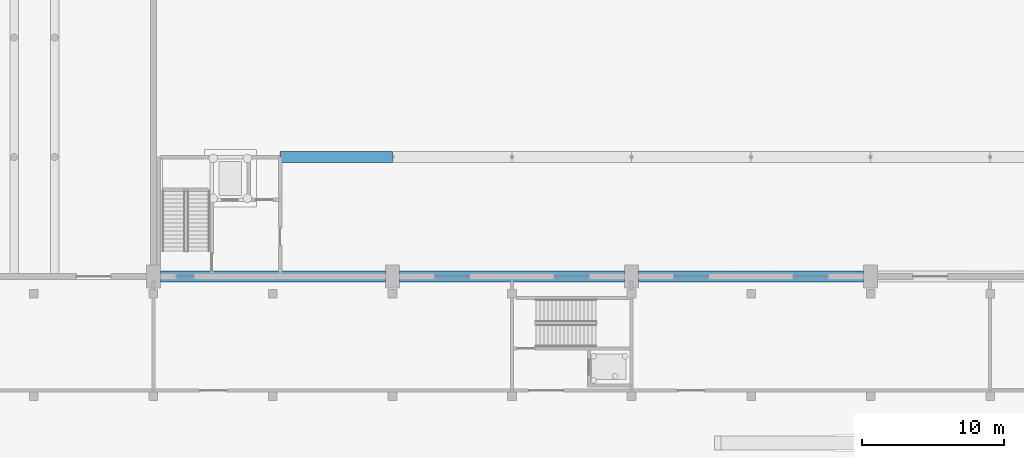
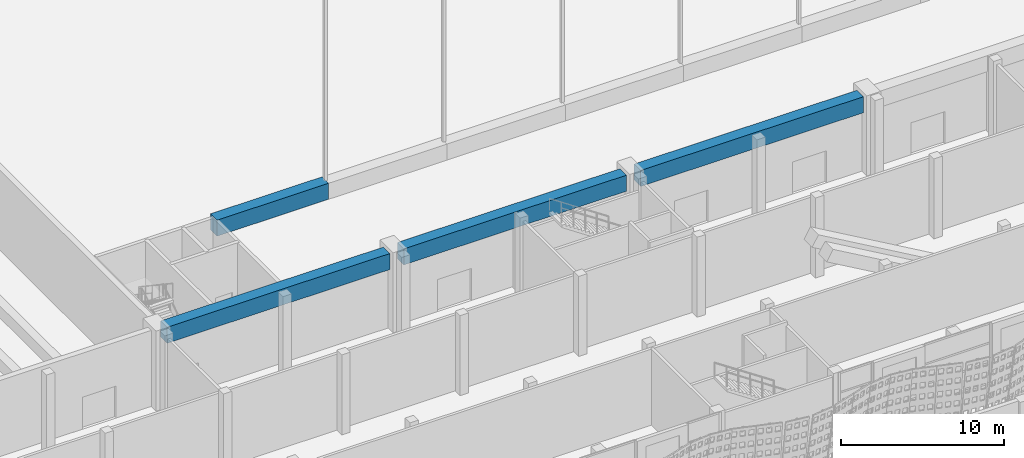
# One storey, part 51 of 210: 4 beams.
"""IFC4 building model written with IfcOpenShell, lengths in metres."""

from ifc_helpers import new_model, si_unit, direction, frame, origin, origin_2d, place, context, subcontext, project, spatial, rectangle, extrude, material, material_profile, profile_set, type_object, element, save


model = new_model("IFC4")

# Units and contexts
model_context = context("Model", 3, precision=1e-05, world=origin(), true_north=direction((0.0, 1.0)))
body_context = subcontext(model_context, "Body", "Model", "MODEL_VIEW")
ifc_project = project(units=[si_unit("LENGTHUNIT", "METRE"), si_unit("AREAUNIT", "SQUARE_METRE"), si_unit("VOLUMEUNIT", "CUBIC_METRE"), si_unit("PLANEANGLEUNIT", "RADIAN"), si_unit("MASSUNIT", "GRAM", prefix="KILO")], contexts=[model_context])

# Site, building, storey
site_placement = place(None, origin())
site = spatial("IfcSite", under=ifc_project, at=site_placement, CompositionType="ELEMENT")
building_placement = place(site_placement, origin())
building = spatial("IfcBuilding", under=site, at=building_placement, Name="Rain Tree Exposition and Congress Centre", CompositionType="ELEMENT")
storey_placement = place(building_placement, origin())
storey = spatial("IfcBuildingStorey", under=building, at=storey_placement, Name="L00", CompositionType="ELEMENT", Elevation=0.0)

# Beams
ifc_material = material(Name="Precast concrete C50/60", Category="concrete")
ifc_material_profile = material_profile(ifc_material, rectangle(XDim=0.800048828125, YDim=1.199951171875, at=origin_2d()), Name="RC 800x1200")
ifc_profile_set = profile_set([ifc_material_profile], Name="Precast concrete C50/60")
beam_type = type_object("IfcBeamType", Name="Precast beam 800x1200", PredefinedType="BEAM", material=ifc_profile_set)
beam_1_placement = place(storey_placement, frame((143.300048828125, 100.800048828125, 5.10009765625), z_axis=(1.0, 0.0, 0.0), x_axis=(0.0, 1.0, 0.0)))
element("IfcBeam", 1, at=beam_1_placement, inside=storey, type_object=beam_type, Name="Gallery perimeter beam 1", PredefinedType="BEAM", context=body_context, shape_type="SweptSolid", body=[
    extrude(rectangle(XDim=0.800048828125, YDim=1.199951171875, at=origin_2d()), origin(), (0.0, 0.0, 1.0), 15.800048828125),
])
beam_2_placement = place(storey_placement, frame((160.10009765625, 100.800048828125, 5.10009765625), z_axis=(1.0, 0.0, 0.0), x_axis=(0.0, 1.0, 0.0)))
element("IfcBeam", 2, at=beam_2_placement, inside=storey, type_object=beam_type, Name="Gallery perimeter beam 2", PredefinedType="BEAM", context=body_context, shape_type="SweptSolid", body=[
    extrude(rectangle(XDim=0.800048828125, YDim=1.199951171875, at=origin_2d()), origin(), (0.0, 0.0, 1.0), 15.7998046875),
])
beam_3_placement = place(storey_placement, frame((176.89990234375, 100.800048828125, 5.10009765625), z_axis=(1.0, 0.0, 0.0), x_axis=(0.0, 1.0, 0.0)))
element("IfcBeam", 3, at=beam_3_placement, inside=storey, type_object=beam_type, Name="Gallery perimeter beam 3", PredefinedType="BEAM", context=body_context, shape_type="SweptSolid", body=[
    extrude(rectangle(XDim=0.800048828125, YDim=1.199951171875, at=origin_2d()), origin(), (0.0, 0.0, 1.0), 15.800048828125),
])
beam_4_placement = place(storey_placement, frame((151.699951171875, 109.199951171875, 5.10009765625), z_axis=(1.0, 0.0, 0.0), x_axis=(0.0, 1.0, 0.0)))
element("IfcBeam", 4, at=beam_4_placement, inside=storey, type_object=beam_type, Name="Gallery edge beam 1", PredefinedType="BEAM", context=body_context, shape_type="SweptSolid", body=[
    extrude(rectangle(XDim=0.800048828125, YDim=1.199951171875, at=origin_2d()), origin(), (0.0, 0.0, 1.0), 7.900146484375),
])

save(model, "model.ifc")
